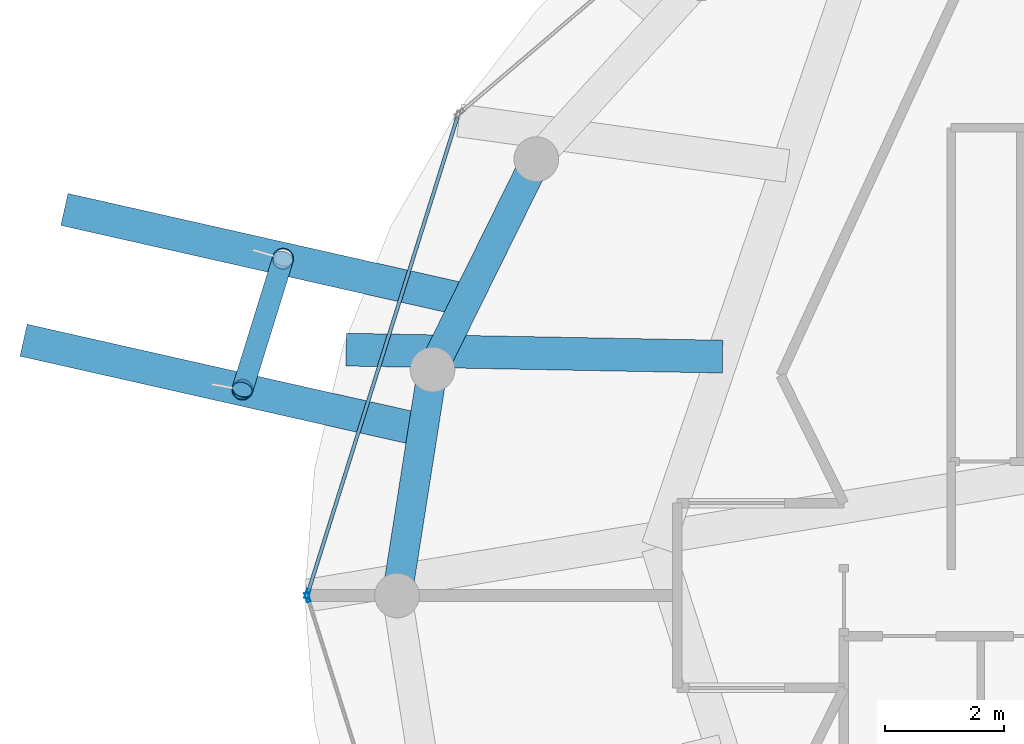
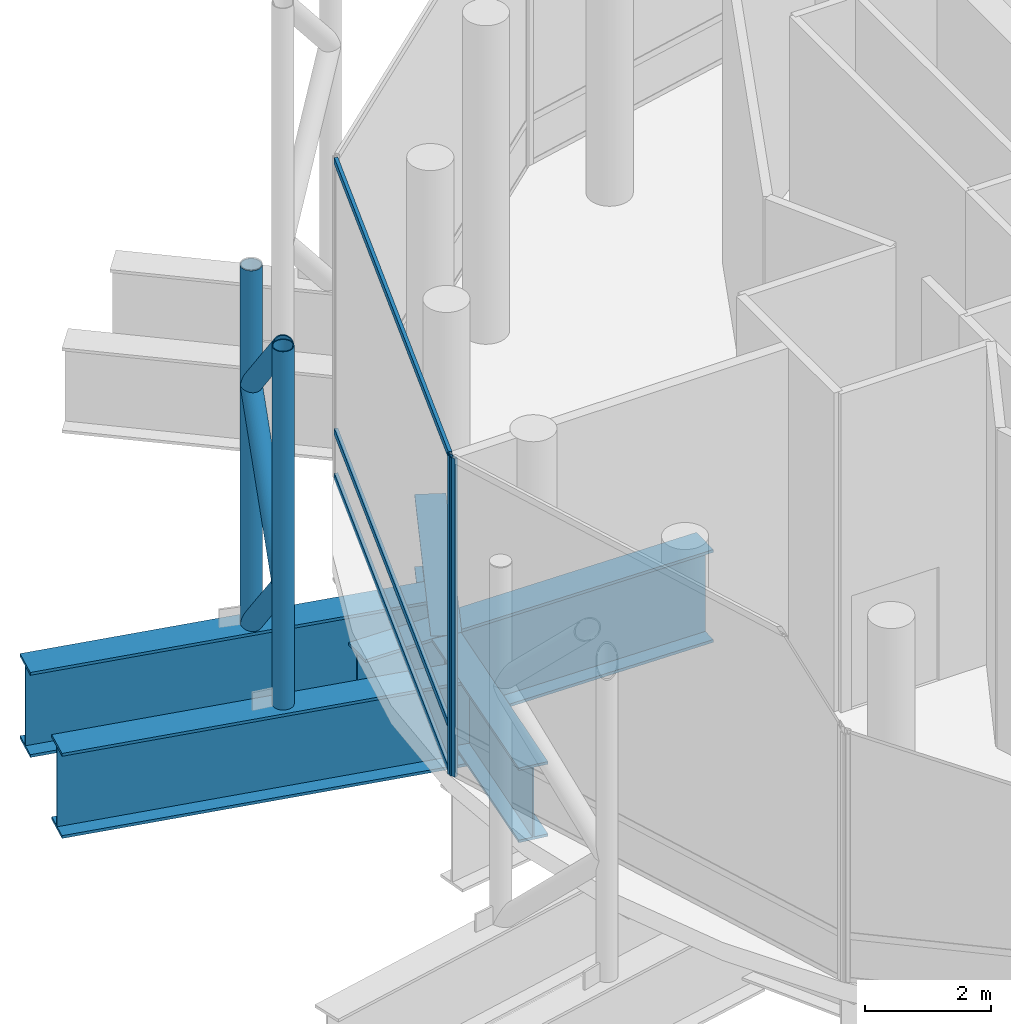
# One storey, part 9 of 26: 10 members, 5 beams, 2 elements without a shape of their own.
"""IFC4 building model written with IfcOpenShell, lengths in metres."""

from ifc_helpers import new_model, si_unit, direction, frame, origin, origin_2d, place, context, subcontext, project, spatial, hollow_rectangle, hollow_circle, i_section, extrude, material, layer, layer_set, material_profile, profile_set, type_object, element, aggregate, save


model = new_model("IFC4")

# Units and contexts
model_context = context("Model", 3, precision=1e-05, world=origin(), true_north=direction((0.0, 1.0)))
body_context = subcontext(model_context, "Body", "Model", "MODEL_VIEW")
ifc_project = project(units=[si_unit("LENGTHUNIT", "METRE"), si_unit("AREAUNIT", "SQUARE_METRE"), si_unit("VOLUMEUNIT", "CUBIC_METRE"), si_unit("PLANEANGLEUNIT", "RADIAN"), si_unit("MASSUNIT", "GRAM", prefix="KILO")], contexts=[model_context])

# Site, building, storey
site_placement = place(None, origin())
site = spatial("IfcSite", under=ifc_project, at=site_placement, CompositionType="ELEMENT")
building_placement = place(site_placement, origin())
building = spatial("IfcBuilding", under=site, at=building_placement, Name="Nuhasar Tower", CompositionType="ELEMENT")
storey_placement = place(building_placement, frame((0.0, 0.0, 306.800048828125)))
storey = spatial("IfcBuildingStorey", under=building, at=storey_placement, Name="L76", CompositionType="ELEMENT", Elevation=306.800048828125)

# Beams
ifc_material_1 = material(Name="Steel S460", Category="steel")
ifc_material_profile_1 = material_profile(ifc_material_1, i_section(OverallWidth=0.5, OverallDepth=1.449951171875, WebThickness=0.028076171875, FlangeThickness=0.050048828125, at=origin_2d()), Name="PG1450X500")
ifc_profile_set_1 = profile_set([ifc_material_profile_1], Name="Steel S460")
beam_type_1 = type_object("IfcBeamType", Name="BM-XFER-PG1450", PredefinedType="USERDEFINED", material=ifc_profile_set_1)
beam_1_placement = place(storey_placement, frame((23.887939453125, 34.125, -1.074951171875), z_axis=(-0.442422907363, -0.896806540476, 0.0), x_axis=(0.896806540476, -0.442422907363, 0.0)))
element("IfcBeam", 1, at=beam_1_placement, inside=storey, type_object=beam_type_1, Name="L76 Perimeter Ring Spandrel 11", ObjectType="GIRDER", PredefinedType="USERDEFINED", context=body_context, shape_type="SweptSolid", body=[
    extrude(i_section(OverallWidth=0.5, OverallDepth=1.449951171875, WebThickness=0.028076171875, FlangeThickness=0.050048828125, at=origin_2d()), origin(), (0.0, 0.0, 1.0), 3.939453125),
])
beam_2_placement = place(storey_placement, frame((22.14501953125, 30.592041015625, -1.074951171875), z_axis=(-0.155005502158, -0.987913606699, 0.0), x_axis=(0.987913606699, -0.155005502158, 0.0)))
element("IfcBeam", 2, at=beam_2_placement, inside=storey, type_object=beam_type_1, Name="L76 Perimeter Ring Spandrel 12", ObjectType="GIRDER", PredefinedType="USERDEFINED", context=body_context, shape_type="SweptSolid", body=[
    extrude(i_section(OverallWidth=0.5, OverallDepth=1.449951171875, WebThickness=0.028076171875, FlangeThickness=0.050048828125, at=origin_2d()), origin(), (0.0, 0.0, 1.0), 3.83837890625),
])
ifc_material_profile_2 = material_profile(ifc_material_1, i_section(OverallWidth=0.550048828125, OverallDepth=1.64990234375, WebThickness=0.031982421875, FlangeThickness=0.054931640625, at=origin_2d()), Name="PG1650X550")
ifc_profile_set_2 = profile_set([ifc_material_profile_2], Name="Steel S460")
beam_type_2 = type_object("IfcBeamType", Name="BM-XFER-PG1650", PredefinedType="USERDEFINED", material=ifc_profile_set_2)
beam_3_placement = place(storey_placement, frame((22.719970703125, 31.757080078125, -1.175048828125), z_axis=(-0.975469835371, 0.220133142169, 0.0), x_axis=(-0.220133142169, -0.975469835371, 0.0)))
element("IfcBeam", 3, at=beam_3_placement, inside=storey, type_object=beam_type_2, Name="L76 Exoskeleton Step Transfer Girder 11", ObjectType="GIRDER", PredefinedType="USERDEFINED", context=body_context, shape_type="SweptSolid", body=[
    extrude(i_section(OverallWidth=0.550048828125, OverallDepth=1.64990234375, WebThickness=0.031982421875, FlangeThickness=0.054931640625, at=origin_2d()), origin(), (0.0, 0.0, 1.0), 6.9228515625),
])
beam_4_placement = place(storey_placement, frame((21.985107421875, 29.572998046875, -1.175048828125), z_axis=(-0.975461927636, 0.220168180564, 0.0), x_axis=(-0.220168180564, -0.975461927636, 0.0)))
element("IfcBeam", 4, at=beam_4_placement, inside=storey, type_object=beam_type_2, Name="L76 Exoskeleton Step Transfer Girder 12", ObjectType="GIRDER", PredefinedType="USERDEFINED", context=body_context, shape_type="SweptSolid", body=[
    extrude(i_section(OverallWidth=0.550048828125, OverallDepth=1.64990234375, WebThickness=0.031982421875, FlangeThickness=0.054931640625, at=origin_2d()), origin(), (0.0, 0.0, 1.0), 6.871826171875),
])
ifc_material_profile_3 = material_profile(ifc_material_1, i_section(OverallWidth=0.550048828125, OverallDepth=1.800048828125, WebThickness=0.031982421875, FlangeThickness=0.054931640625, at=origin_2d()), Name="PG1800X550")
ifc_profile_set_3 = profile_set([ifc_material_profile_3], Name="Steel S460")
beam_type_3 = type_object("IfcBeamType", Name="BM-XFER-PG1800", PredefinedType="USERDEFINED", material=ifc_profile_set_3)
beam_5_placement = place(storey_placement, frame((27.013916015625, 30.81005859375, -1.25), z_axis=(-0.999825863666, 0.018661252498, 0.0), x_axis=(-0.018661252498, -0.999825863666, 0.0)))
element("IfcBeam", 5, at=beam_5_placement, inside=storey, type_object=beam_type_3, Name="L76 Inner Column Transfer Girder 12", ObjectType="GIRDER", PredefinedType="USERDEFINED", context=body_context, shape_type="SweptSolid", body=[
    extrude(i_section(OverallWidth=0.550048828125, OverallDepth=1.800048828125, WebThickness=0.031982421875, FlangeThickness=0.054931640625, at=origin_2d()), origin(), (0.0, 0.0, 1.0), 6.319091796875),
])

# Curtain wall, member
ifc_material_2 = material(Name="Aluminium 6063-T6", Category="aluminium")
ifc_layer = layer(ifc_material_2, 0.239990234375)
ifc_layer_set = layer_set([ifc_layer], Name="Aluminium 6063-T6")
curtain_wall_type = type_object("IfcCurtainWallType", Name="CW-SKY-LBY", PredefinedType="NOTDEFINED", material=ifc_layer_set)
curtain_wall_1_placement = place(storey_placement, origin())
curtain_wall_1 = element("IfcCurtainWall", 6, at=curtain_wall_1_placement, inside=storey, type_object=curtain_wall_type, Name="L76 Unitised Curtain Wall 06", PredefinedType="NOTDEFINED")
ifc_material_profile_4 = material_profile(ifc_material_2, hollow_rectangle(XDim=0.06005859375, YDim=0.159912109375, WallThickness=0.0048828125, at=origin_2d()), Name="CWM-6")
ifc_profile_set_4 = profile_set([ifc_material_profile_4], Name="Aluminium 6063-T6")
member_type_1 = type_object("IfcMemberType", Name="CW-MUL-S6", PredefinedType="MULLION", material=ifc_profile_set_4)
member_1_placement = place(storey_placement, frame((20.049072265625, 26.82861328125, 0.0), z_axis=(0.0, 0.0, 1.0), x_axis=(0.953974417341, -0.299887997525, 0.0)))
member_1 = element("IfcMember", 7, at=member_1_placement, type_object=member_type_1, Name="CW-SL mullion 2", PredefinedType="MULLION", context=body_context, shape_type="SweptSolid", body=[
    extrude(hollow_rectangle(XDim=0.06005859375, YDim=0.159912109375, WallThickness=0.0048828125, at=origin_2d()), origin(), (0.0, 0.0, 1.0), 6.179931640625),
])

curtain_wall_2_placement = place(storey_placement, origin())
curtain_wall_2 = element("IfcCurtainWall", 8, at=curtain_wall_2_placement, inside=storey, type_object=curtain_wall_type, Name="L76 Unitised Curtain Wall 07", PredefinedType="NOTDEFINED")
member_2_placement = place(storey_placement, frame((20.049072265625, 26.771484375, 0.0), z_axis=(0.0, 0.0, 1.0), x_axis=(0.953974417341, 0.299887997525, 0.0)))
member_2 = element("IfcMember", 9, at=member_2_placement, type_object=member_type_1, Name="CW-SL mullion 1", PredefinedType="MULLION", context=body_context, shape_type="SweptSolid", body=[
    extrude(hollow_rectangle(XDim=0.06005859375, YDim=0.159912109375, WallThickness=0.0048828125, at=origin_2d()), origin(), (0.0, 0.0, 1.0), 6.179931640625),
])
aggregate(curtain_wall_2, [member_2])

# Member
ifc_material_profile_5 = material_profile(ifc_material_2, hollow_rectangle(XDim=0.06005859375, YDim=0.1298828125, WallThickness=0.00439453125, at=origin_2d()), Name="CWT-6")
ifc_profile_set_5 = profile_set([ifc_material_profile_5], Name="Aluminium 6063-T6")
member_type_2 = type_object("IfcMemberType", Name="CW-TRN-S6", PredefinedType="USERDEFINED", material=ifc_profile_set_5)
member_3_placement = place(storey_placement, frame((22.56201171875, 34.82275390625, 0.030029296875), z_axis=(-0.299874495209, -0.953978661776, 0.0), x_axis=(0.953978661776, -0.299874495209, 0.0)))
member_3 = element("IfcMember", 10, at=member_3_placement, type_object=member_type_2, Name="CW-SL transom 1.1", ObjectType="TRANSOM", PredefinedType="USERDEFINED", context=body_context, shape_type="SweptSolid", body=[
    extrude(hollow_rectangle(XDim=0.06005859375, YDim=0.1298828125, WallThickness=0.00439453125, at=origin_2d()), origin(), (0.0, 0.0, 1.0), 8.349853515625),
])

member_4_placement = place(storey_placement, frame((22.56201171875, 34.82275390625, 0.89990234375), z_axis=(-0.299874495209, -0.953978661776, 0.0), x_axis=(0.953978661776, -0.299874495209, 0.0)))
member_4 = element("IfcMember", 11, at=member_4_placement, type_object=member_type_2, Name="CW-SL transom 1.2", ObjectType="TRANSOM", PredefinedType="USERDEFINED", context=body_context, shape_type="SweptSolid", body=[
    extrude(hollow_rectangle(XDim=0.06005859375, YDim=0.1298828125, WallThickness=0.00439453125, at=origin_2d()), origin(), (0.0, 0.0, 1.0), 8.349853515625),
])

member_5_placement = place(storey_placement, frame((22.56201171875, 34.82275390625, 6.14990234375), z_axis=(-0.299874495209, -0.953978661776, 0.0), x_axis=(0.953978661776, -0.299874495209, 0.0)))
member_5 = element("IfcMember", 12, at=member_5_placement, type_object=member_type_2, Name="CW-SL transom 1.3", ObjectType="TRANSOM", PredefinedType="USERDEFINED", context=body_context, shape_type="SweptSolid", body=[
    extrude(hollow_rectangle(XDim=0.06005859375, YDim=0.1298828125, WallThickness=0.00439453125, at=origin_2d()), origin(), (0.0, 0.0, 1.0), 8.349853515625),
])

aggregate(curtain_wall_1, [member_1, member_3, member_4, member_5])

# Members
ifc_material_profile_6 = material_profile(ifc_material_1, hollow_circle(Radius=0.177734375, WallThickness=0.015869140625, at=origin_2d()), Name="HSS355.6X15.9")
ifc_profile_set_6 = profile_set([ifc_material_profile_6], Name="Steel S460")
member_type_3 = type_object("IfcMemberType", Name="EXO-BRONZE-356", PredefinedType="BRACE", material=ifc_profile_set_6)
for number, where, z_axis, x_axis, name in (
    (13, (19.635986328125, 32.452880859375, -0.35009765625), (0.0, 0.0, 1.0), (1.0, 0.0, 0.0), "L76 Exoskeleton Chord Column EC-06A"),
    (14, (18.9541015625, 30.257080078125, -0.35009765625), (0.0, 0.0, 1.0), (1.0, 0.0, 0.0), "L76 Exoskeleton Chord Column EC-06B"),
):
    element("IfcMember", number, at=place(storey_placement, frame(where, z_axis=z_axis, x_axis=x_axis)), inside=storey, type_object=member_type_3, Name=name, PredefinedType="BRACE", context=body_context, shape_type="SweptSolid", body=[
        extrude(hollow_circle(Radius=0.177734375, WallThickness=0.015869140625, at=origin_2d()), origin(), (0.0, 0.0, 1.0), 6.949951171875),
    ])
member_6_placement = place(storey_placement, frame((19.635986328125, 32.452880859375, -0.35009765625), z_axis=(-0.208891720833, -0.672671728312, 0.709842936781), x_axis=(0.955011260379, -0.296569540832, 0.0)))
element("IfcMember", 15, at=member_6_placement, inside=storey, type_object=member_type_3, Name="L76 Bronze Diagrid Brace W1-06", PredefinedType="BRACE", context=body_context, shape_type="SweptSolid", body=[
    extrude(hollow_circle(Radius=0.177734375, WallThickness=0.015869140625, at=origin_2d()), origin(), (0.0, 0.0, 1.0), 3.264404296875),
])
member_7_placement = place(storey_placement, frame((18.9541015625, 30.257080078125, 1.967041015625), z_axis=(0.20894717859, 0.672850313011, 0.709657334803), x_axis=(-0.955011260379, 0.296569540832, 0.0)))
element("IfcMember", 16, at=member_7_placement, inside=storey, type_object=member_type_3, Name="L76 Bronze Diagrid Brace W2-06", PredefinedType="BRACE", context=body_context, shape_type="SweptSolid", body=[
    extrude(hollow_circle(Radius=0.177734375, WallThickness=0.015869140625, at=origin_2d()), origin(), (0.0, 0.0, 1.0), 3.263427734375),
])
member_8_placement = place(storey_placement, frame((19.635986328125, 32.452880859375, 4.282958984375), z_axis=(-0.208902811189, -0.672707441402, 0.709805828209), x_axis=(0.955011260379, -0.296569540832, 0.0)))
element("IfcMember", 17, at=member_8_placement, inside=storey, type_object=member_type_3, Name="L76 Bronze Diagrid Brace W3-06", PredefinedType="BRACE", context=body_context, shape_type="SweptSolid", body=[
    extrude(hollow_circle(Radius=0.177734375, WallThickness=0.015869140625, at=origin_2d()), origin(), (0.0, 0.0, 1.0), 3.26416015625),
])

save(model, "model.ifc")
